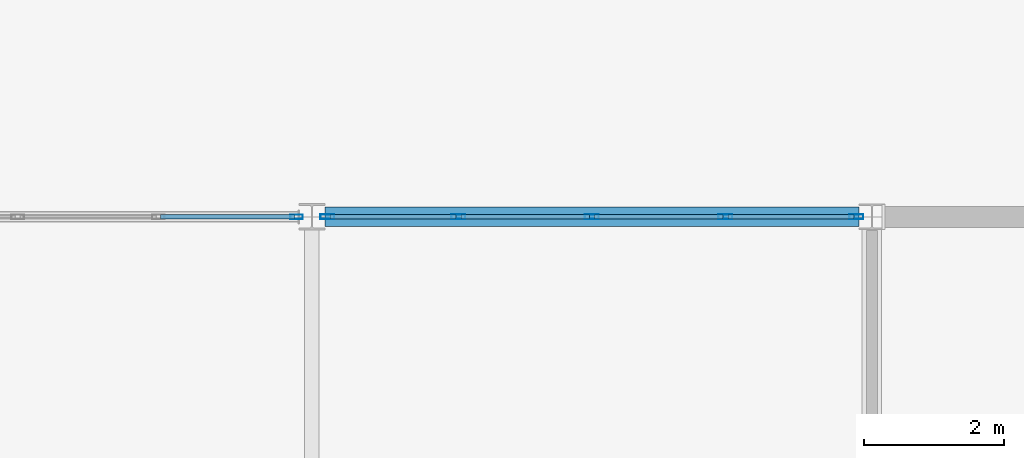
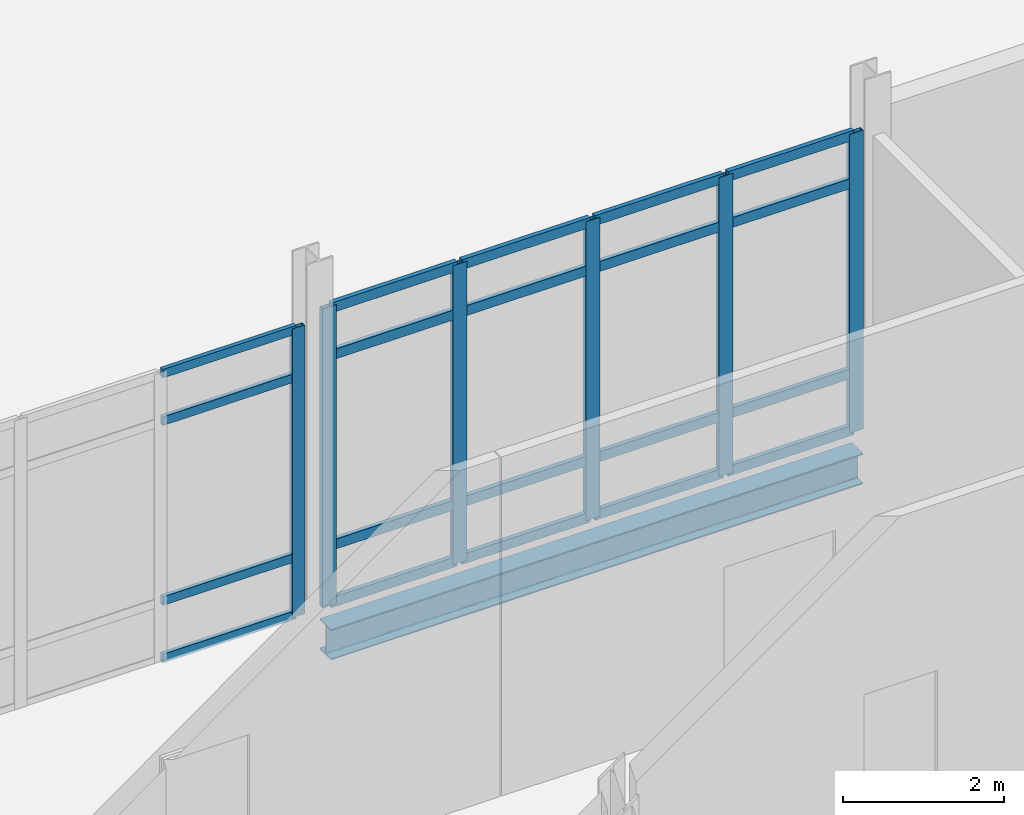
# One storey, part 101 of 229: 26 members, 1 beam, 2 elements without a shape of their own.
"""IFC4 building model written with IfcOpenShell, lengths in metres."""

from ifc_helpers import new_model, si_unit, direction, frame, origin, origin_2d, place, context, subcontext, project, spatial, hollow_rectangle, i_section, extrude, material, layer, layer_set, material_profile, profile_set, type_object, element, aggregate, save


model = new_model("IFC4")

# Units and contexts
model_context = context("Model", 3, precision=1e-05, world=origin(), true_north=direction((0.0, 1.0)))
body_context = subcontext(model_context, "Body", "Model", "MODEL_VIEW")
ifc_project = project(units=[si_unit("LENGTHUNIT", "METRE"), si_unit("AREAUNIT", "SQUARE_METRE"), si_unit("VOLUMEUNIT", "CUBIC_METRE"), si_unit("PLANEANGLEUNIT", "RADIAN"), si_unit("MASSUNIT", "GRAM", prefix="KILO")], contexts=[model_context])

# Site, building, storey
site_placement = place(None, origin())
site = spatial("IfcSite", under=ifc_project, at=site_placement, CompositionType="ELEMENT")
building_placement = place(site_placement, origin())
building = spatial("IfcBuilding", under=site, at=building_placement, Name="Calvrana Isthmian Art Gallery", CompositionType="ELEMENT")
storey_placement = place(building_placement, origin())
storey = spatial("IfcBuildingStorey", under=building, at=storey_placement, Name="L00", CompositionType="ELEMENT", Elevation=0.0)

# Beam
ifc_material_1 = material(Name="Steel ASTM A992 Gr 50", Category="steel")
ifc_material_profile_1 = material_profile(ifc_material_1, i_section(OverallWidth=0.279052734375, OverallDepth=0.4619140625, WebThickness=0.0107421875, FlangeThickness=0.017333984375, FilletRadius=0.02001953125, at=origin_2d()), Name="W18X76")
ifc_profile_set_1 = profile_set([ifc_material_profile_1], Name="Steel ASTM A992 Gr 50")
beam_type = type_object("IfcBeamType", Name="BM-G-W18X76", PredefinedType="BEAM", material=ifc_profile_set_1)
beam_placement = place(storey_placement, frame((80.58642578125, 62.0, -0.51611328125), z_axis=(1.0, 0.0, 0.0), x_axis=(0.0, 1.0, 0.0)))
element("IfcBeam", 1, at=beam_placement, inside=storey, type_object=beam_type, Name="Girder X L00 11-12/I", PredefinedType="BEAM", context=body_context, shape_type="SweptSolid", body=[
    extrude(i_section(OverallWidth=0.279052734375, OverallDepth=0.4619140625, WebThickness=0.0107421875, FlangeThickness=0.017333984375, FilletRadius=0.02001953125, at=origin_2d()), origin(), (0.0, 0.0, 1.0), 7.628173828125),
])

# Curtain wall, member
ifc_material_2 = material(Name="Anodized bronze aluminium 6063-T6", Category="aluminium")
ifc_layer_1 = layer(ifc_material_2, 0.179931640625, Name="Anodized bronze aluminium 6063-T6")
ifc_layer_set_1 = layer_set([ifc_layer_1], Name="Anodized bronze aluminium 6063-T6")
curtain_wall_type_1 = type_object("IfcCurtainWallType", Name="CW-UNIT-080X44", PredefinedType="USERDEFINED", material=ifc_layer_set_1)
curtain_wall_1_placement = place(storey_placement, origin())
curtain_wall_1 = element("IfcCurtainWall", 2, at=curtain_wall_1_placement, inside=storey, type_object=curtain_wall_type_1, Name="Curtain wall CW-026", ObjectType="UNITISED CURTAIN WALL", PredefinedType="USERDEFINED")
ifc_material_profile_2 = material_profile(ifc_material_2, hollow_rectangle(XDim=0.06494140625, YDim=0.179931640625, WallThickness=0.00439453125, at=origin_2d()), Name="CWM65X180")
ifc_profile_set_2 = profile_set([ifc_material_profile_2], Name="Anodized bronze aluminium 6063-T6")
member_type_1 = type_object("IfcMemberType", Name="CWM-CWM65X180", PredefinedType="MULLION", material=ifc_profile_set_2)
member_1_placement = place(storey_placement, frame((80.180908203125, 62.0, 0.0), z_axis=(0.0, 0.0, 1.0), x_axis=(0.0, 1.0, 0.0)))
member_1 = element("IfcMember", 3, at=member_1_placement, type_object=member_type_1, Name="CW-026 mullion 5", PredefinedType="MULLION", context=body_context, shape_type="SweptSolid", body=[
    extrude(hollow_rectangle(XDim=0.06494140625, YDim=0.179931640625, WallThickness=0.00439453125, at=origin_2d()), origin(), (0.0, 0.0, 1.0), 4.3779296875),
])

# Curtain wall, members
ifc_layer_2 = layer(ifc_material_2, 0.179931640625, Name="Anodized bronze aluminium 6063-T6")
ifc_layer_set_2 = layer_set([ifc_layer_2], Name="Anodized bronze aluminium 6063-T6")
curtain_wall_type_2 = type_object("IfcCurtainWallType", Name="CW-STICK-076X45", PredefinedType="NOTDEFINED", material=ifc_layer_set_2)
curtain_wall_2_placement = place(storey_placement, origin())
curtain_wall_2 = element("IfcCurtainWall", 4, at=curtain_wall_2_placement, inside=storey, type_object=curtain_wall_type_2, Name="Curtain wall CW-027", PredefinedType="NOTDEFINED")
ifc_material_profile_3 = material_profile(ifc_material_2, hollow_rectangle(XDim=0.070068359375, YDim=0.199951171875, WallThickness=0.0048828125, at=origin_2d()), Name="CWM70X200")
ifc_profile_set_3 = profile_set([ifc_material_profile_3], Name="Anodized bronze aluminium 6063-T6")
member_type_2 = type_object("IfcMemberType", Name="CWM-CWM70X200", PredefinedType="MULLION", material=ifc_profile_set_3)
member_2_placement = place(storey_placement, frame((80.62158203125, 62.0, 0.0), z_axis=(0.0, 0.0, 1.0), x_axis=(0.0, 1.0, 0.0)))
member_2 = element("IfcMember", 5, at=member_2_placement, type_object=member_type_2, Name="CW-027 mullion 1", PredefinedType="MULLION", context=body_context, shape_type="SweptSolid", body=[
    extrude(hollow_rectangle(XDim=0.070068359375, YDim=0.199951171875, WallThickness=0.0048828125, at=origin_2d()), origin(), (0.0, 0.0, 1.0), 4.532958984375),
])
member_3_placement = place(storey_placement, frame((82.4931640625, 62.0, 0.0), z_axis=(0.0, 0.0, 1.0), x_axis=(0.0, 1.0, 0.0)))
member_3 = element("IfcMember", 6, at=member_3_placement, type_object=member_type_2, Name="CW-027 mullion 2", PredefinedType="MULLION", context=body_context, shape_type="SweptSolid", body=[
    extrude(hollow_rectangle(XDim=0.070068359375, YDim=0.199951171875, WallThickness=0.0048828125, at=origin_2d()), origin(), (0.0, 0.0, 1.0), 4.532958984375),
])
member_4_placement = place(storey_placement, frame((84.39990234375, 62.0, 0.0), z_axis=(0.0, 0.0, 1.0), x_axis=(0.0, 1.0, 0.0)))
member_4 = element("IfcMember", 7, at=member_4_placement, type_object=member_type_2, Name="CW-027 mullion 3", PredefinedType="MULLION", context=body_context, shape_type="SweptSolid", body=[
    extrude(hollow_rectangle(XDim=0.070068359375, YDim=0.199951171875, WallThickness=0.0048828125, at=origin_2d()), origin(), (0.0, 0.0, 1.0), 4.532958984375),
])
member_5_placement = place(storey_placement, frame((86.306640625, 62.0, 0.0), z_axis=(0.0, 0.0, 1.0), x_axis=(0.0, 1.0, 0.0)))
member_5 = element("IfcMember", 8, at=member_5_placement, type_object=member_type_2, Name="CW-027 mullion 4", PredefinedType="MULLION", context=body_context, shape_type="SweptSolid", body=[
    extrude(hollow_rectangle(XDim=0.070068359375, YDim=0.199951171875, WallThickness=0.0048828125, at=origin_2d()), origin(), (0.0, 0.0, 1.0), 4.532958984375),
])
member_6_placement = place(storey_placement, frame((88.178466796875, 62.0, 0.0), z_axis=(0.0, 0.0, 1.0), x_axis=(0.0, 1.0, 0.0)))
member_6 = element("IfcMember", 9, at=member_6_placement, type_object=member_type_2, Name="CW-027 mullion 5", PredefinedType="MULLION", context=body_context, shape_type="SweptSolid", body=[
    extrude(hollow_rectangle(XDim=0.070068359375, YDim=0.199951171875, WallThickness=0.0048828125, at=origin_2d()), origin(), (0.0, 0.0, 1.0), 4.532958984375),
])

# Member
ifc_material_profile_4 = material_profile(ifc_material_2, hollow_rectangle(XDim=0.06005859375, YDim=0.1298828125, WallThickness=0.00390625, at=origin_2d()), Name="CWT60X130")
ifc_profile_set_4 = profile_set([ifc_material_profile_4], Name="Anodized bronze aluminium 6063-T6")
member_type_3 = type_object("IfcMemberType", Name="CWT-CWT60X130", PredefinedType="USERDEFINED", material=ifc_profile_set_4)
member_7_placement = place(storey_placement, frame((78.238525390625, 62.0, 0.030029296875), z_axis=(1.0, 0.0, 0.0), x_axis=(0.0, 1.0, 0.0)))
member_7 = element("IfcMember", 10, at=member_7_placement, type_object=member_type_3, Name="CW-026 transom 4.1", ObjectType="TRANSOM", PredefinedType="USERDEFINED", context=body_context, shape_type="SweptSolid", body=[
    extrude(hollow_rectangle(XDim=0.06005859375, YDim=0.1298828125, WallThickness=0.00390625, at=origin_2d()), origin(), (0.0, 0.0, 1.0), 1.909912109375),
])

member_8_placement = place(storey_placement, frame((78.238525390625, 62.0, 0.89990234375), z_axis=(1.0, 0.0, 0.0), x_axis=(0.0, 1.0, 0.0)))
member_8 = element("IfcMember", 11, at=member_8_placement, type_object=member_type_3, Name="CW-026 transom 4.2", ObjectType="TRANSOM", PredefinedType="USERDEFINED", context=body_context, shape_type="SweptSolid", body=[
    extrude(hollow_rectangle(XDim=0.06005859375, YDim=0.1298828125, WallThickness=0.00390625, at=origin_2d()), origin(), (0.0, 0.0, 1.0), 1.909912109375),
])

member_9_placement = place(storey_placement, frame((78.238525390625, 62.0, 3.6279296875), z_axis=(1.0, 0.0, 0.0), x_axis=(0.0, 1.0, 0.0)))
member_9 = element("IfcMember", 12, at=member_9_placement, type_object=member_type_3, Name="CW-026 transom 4.3", ObjectType="TRANSOM", PredefinedType="USERDEFINED", context=body_context, shape_type="SweptSolid", body=[
    extrude(hollow_rectangle(XDim=0.06005859375, YDim=0.1298828125, WallThickness=0.00390625, at=origin_2d()), origin(), (0.0, 0.0, 1.0), 1.909912109375),
])

member_10_placement = place(storey_placement, frame((78.238525390625, 62.0, 4.347900390625), z_axis=(1.0, 0.0, 0.0), x_axis=(0.0, 1.0, 0.0)))
member_10 = element("IfcMember", 13, at=member_10_placement, type_object=member_type_3, Name="CW-026 transom 4.4", ObjectType="TRANSOM", PredefinedType="USERDEFINED", context=body_context, shape_type="SweptSolid", body=[
    extrude(hollow_rectangle(XDim=0.06005859375, YDim=0.1298828125, WallThickness=0.00390625, at=origin_2d()), origin(), (0.0, 0.0, 1.0), 1.909912109375),
])

aggregate(curtain_wall_1, [member_1, member_7, member_8, member_9, member_10])

ifc_material_profile_5 = material_profile(ifc_material_2, hollow_rectangle(XDim=0.06494140625, YDim=0.14990234375, WallThickness=0.00390625, at=origin_2d()), Name="CWT65X150")
ifc_profile_set_5 = profile_set([ifc_material_profile_5], Name="Anodized bronze aluminium 6063-T6")
member_type_4 = type_object("IfcMemberType", Name="CWT-CWT65X150", PredefinedType="USERDEFINED", material=ifc_profile_set_5)
member_11_placement = place(storey_placement, frame((80.656494140625, 62.0, 0.032470703125), z_axis=(1.0, 0.0, 0.0), x_axis=(0.0, 1.0, 0.0)))
member_11 = element("IfcMember", 14, at=member_11_placement, type_object=member_type_4, Name="CW-027 transom 1.1", ObjectType="TRANSOM", PredefinedType="USERDEFINED", context=body_context, shape_type="SweptSolid", body=[
    extrude(hollow_rectangle(XDim=0.06494140625, YDim=0.14990234375, WallThickness=0.00390625, at=origin_2d()), origin(), (0.0, 0.0, 1.0), 1.8017578125),
])

member_12_placement = place(storey_placement, frame((80.656494140625, 62.0, 0.89990234375), z_axis=(1.0, 0.0, 0.0), x_axis=(0.0, 1.0, 0.0)))
member_12 = element("IfcMember", 15, at=member_12_placement, type_object=member_type_4, Name="CW-027 transom 1.2", ObjectType="TRANSOM", PredefinedType="USERDEFINED", context=body_context, shape_type="SweptSolid", body=[
    extrude(hollow_rectangle(XDim=0.06494140625, YDim=0.14990234375, WallThickness=0.00390625, at=origin_2d()), origin(), (0.0, 0.0, 1.0), 1.8017578125),
])

member_13_placement = place(storey_placement, frame((80.656494140625, 62.0, 3.782958984375), z_axis=(1.0, 0.0, 0.0), x_axis=(0.0, 1.0, 0.0)))
member_13 = element("IfcMember", 16, at=member_13_placement, type_object=member_type_4, Name="CW-027 transom 1.3", ObjectType="TRANSOM", PredefinedType="USERDEFINED", context=body_context, shape_type="SweptSolid", body=[
    extrude(hollow_rectangle(XDim=0.06494140625, YDim=0.14990234375, WallThickness=0.00390625, at=origin_2d()), origin(), (0.0, 0.0, 1.0), 1.8017578125),
])

member_14_placement = place(storey_placement, frame((80.656494140625, 62.0, 4.50048828125), z_axis=(1.0, 0.0, 0.0), x_axis=(0.0, 1.0, 0.0)))
member_14 = element("IfcMember", 17, at=member_14_placement, type_object=member_type_4, Name="CW-027 transom 1.4", ObjectType="TRANSOM", PredefinedType="USERDEFINED", context=body_context, shape_type="SweptSolid", body=[
    extrude(hollow_rectangle(XDim=0.06494140625, YDim=0.14990234375, WallThickness=0.00390625, at=origin_2d()), origin(), (0.0, 0.0, 1.0), 1.8017578125),
])

member_15_placement = place(storey_placement, frame((82.5283203125, 62.0, 0.032470703125), z_axis=(1.0, 0.0, 0.0), x_axis=(0.0, 1.0, 0.0)))
member_15 = element("IfcMember", 18, at=member_15_placement, type_object=member_type_4, Name="CW-027 transom 2.1", ObjectType="TRANSOM", PredefinedType="USERDEFINED", context=body_context, shape_type="SweptSolid", body=[
    extrude(hollow_rectangle(XDim=0.06494140625, YDim=0.14990234375, WallThickness=0.00390625, at=origin_2d()), origin(), (0.0, 0.0, 1.0), 1.836669921875),
])

member_16_placement = place(storey_placement, frame((82.5283203125, 62.0, 0.89990234375), z_axis=(1.0, 0.0, 0.0), x_axis=(0.0, 1.0, 0.0)))
member_16 = element("IfcMember", 19, at=member_16_placement, type_object=member_type_4, Name="CW-027 transom 2.2", ObjectType="TRANSOM", PredefinedType="USERDEFINED", context=body_context, shape_type="SweptSolid", body=[
    extrude(hollow_rectangle(XDim=0.06494140625, YDim=0.14990234375, WallThickness=0.00390625, at=origin_2d()), origin(), (0.0, 0.0, 1.0), 1.836669921875),
])

member_17_placement = place(storey_placement, frame((82.5283203125, 62.0, 3.782958984375), z_axis=(1.0, 0.0, 0.0), x_axis=(0.0, 1.0, 0.0)))
member_17 = element("IfcMember", 20, at=member_17_placement, type_object=member_type_4, Name="CW-027 transom 2.3", ObjectType="TRANSOM", PredefinedType="USERDEFINED", context=body_context, shape_type="SweptSolid", body=[
    extrude(hollow_rectangle(XDim=0.06494140625, YDim=0.14990234375, WallThickness=0.00390625, at=origin_2d()), origin(), (0.0, 0.0, 1.0), 1.836669921875),
])

member_18_placement = place(storey_placement, frame((82.5283203125, 62.0, 4.50048828125), z_axis=(1.0, 0.0, 0.0), x_axis=(0.0, 1.0, 0.0)))
member_18 = element("IfcMember", 21, at=member_18_placement, type_object=member_type_4, Name="CW-027 transom 2.4", ObjectType="TRANSOM", PredefinedType="USERDEFINED", context=body_context, shape_type="SweptSolid", body=[
    extrude(hollow_rectangle(XDim=0.06494140625, YDim=0.14990234375, WallThickness=0.00390625, at=origin_2d()), origin(), (0.0, 0.0, 1.0), 1.836669921875),
])

member_19_placement = place(storey_placement, frame((84.43505859375, 62.0, 0.032470703125), z_axis=(1.0, 0.0, 0.0), x_axis=(0.0, 1.0, 0.0)))
member_19 = element("IfcMember", 22, at=member_19_placement, type_object=member_type_4, Name="CW-027 transom 3.1", ObjectType="TRANSOM", PredefinedType="USERDEFINED", context=body_context, shape_type="SweptSolid", body=[
    extrude(hollow_rectangle(XDim=0.06494140625, YDim=0.14990234375, WallThickness=0.00390625, at=origin_2d()), origin(), (0.0, 0.0, 1.0), 1.836669921875),
])

member_20_placement = place(storey_placement, frame((84.43505859375, 62.0, 0.89990234375), z_axis=(1.0, 0.0, 0.0), x_axis=(0.0, 1.0, 0.0)))
member_20 = element("IfcMember", 23, at=member_20_placement, type_object=member_type_4, Name="CW-027 transom 3.2", ObjectType="TRANSOM", PredefinedType="USERDEFINED", context=body_context, shape_type="SweptSolid", body=[
    extrude(hollow_rectangle(XDim=0.06494140625, YDim=0.14990234375, WallThickness=0.00390625, at=origin_2d()), origin(), (0.0, 0.0, 1.0), 1.836669921875),
])

member_21_placement = place(storey_placement, frame((84.43505859375, 62.0, 3.782958984375), z_axis=(1.0, 0.0, 0.0), x_axis=(0.0, 1.0, 0.0)))
member_21 = element("IfcMember", 24, at=member_21_placement, type_object=member_type_4, Name="CW-027 transom 3.3", ObjectType="TRANSOM", PredefinedType="USERDEFINED", context=body_context, shape_type="SweptSolid", body=[
    extrude(hollow_rectangle(XDim=0.06494140625, YDim=0.14990234375, WallThickness=0.00390625, at=origin_2d()), origin(), (0.0, 0.0, 1.0), 1.836669921875),
])

member_22_placement = place(storey_placement, frame((84.43505859375, 62.0, 4.50048828125), z_axis=(1.0, 0.0, 0.0), x_axis=(0.0, 1.0, 0.0)))
member_22 = element("IfcMember", 25, at=member_22_placement, type_object=member_type_4, Name="CW-027 transom 3.4", ObjectType="TRANSOM", PredefinedType="USERDEFINED", context=body_context, shape_type="SweptSolid", body=[
    extrude(hollow_rectangle(XDim=0.06494140625, YDim=0.14990234375, WallThickness=0.00390625, at=origin_2d()), origin(), (0.0, 0.0, 1.0), 1.836669921875),
])

member_23_placement = place(storey_placement, frame((86.341796875, 62.0, 0.032470703125), z_axis=(1.0, 0.0, 0.0), x_axis=(0.0, 1.0, 0.0)))
member_23 = element("IfcMember", 26, at=member_23_placement, type_object=member_type_4, Name="CW-027 transom 4.1", ObjectType="TRANSOM", PredefinedType="USERDEFINED", context=body_context, shape_type="SweptSolid", body=[
    extrude(hollow_rectangle(XDim=0.06494140625, YDim=0.14990234375, WallThickness=0.00390625, at=origin_2d()), origin(), (0.0, 0.0, 1.0), 1.8017578125),
])

member_24_placement = place(storey_placement, frame((86.341796875, 62.0, 0.89990234375), z_axis=(1.0, 0.0, 0.0), x_axis=(0.0, 1.0, 0.0)))
member_24 = element("IfcMember", 27, at=member_24_placement, type_object=member_type_4, Name="CW-027 transom 4.2", ObjectType="TRANSOM", PredefinedType="USERDEFINED", context=body_context, shape_type="SweptSolid", body=[
    extrude(hollow_rectangle(XDim=0.06494140625, YDim=0.14990234375, WallThickness=0.00390625, at=origin_2d()), origin(), (0.0, 0.0, 1.0), 1.8017578125),
])

member_25_placement = place(storey_placement, frame((86.341796875, 62.0, 3.782958984375), z_axis=(1.0, 0.0, 0.0), x_axis=(0.0, 1.0, 0.0)))
member_25 = element("IfcMember", 28, at=member_25_placement, type_object=member_type_4, Name="CW-027 transom 4.3", ObjectType="TRANSOM", PredefinedType="USERDEFINED", context=body_context, shape_type="SweptSolid", body=[
    extrude(hollow_rectangle(XDim=0.06494140625, YDim=0.14990234375, WallThickness=0.00390625, at=origin_2d()), origin(), (0.0, 0.0, 1.0), 1.8017578125),
])

member_26_placement = place(storey_placement, frame((86.341796875, 62.0, 4.50048828125), z_axis=(1.0, 0.0, 0.0), x_axis=(0.0, 1.0, 0.0)))
member_26 = element("IfcMember", 29, at=member_26_placement, type_object=member_type_4, Name="CW-027 transom 4.4", ObjectType="TRANSOM", PredefinedType="USERDEFINED", context=body_context, shape_type="SweptSolid", body=[
    extrude(hollow_rectangle(XDim=0.06494140625, YDim=0.14990234375, WallThickness=0.00390625, at=origin_2d()), origin(), (0.0, 0.0, 1.0), 1.8017578125),
])

aggregate(curtain_wall_2, [member_2, member_3, member_4, member_5, member_6, member_11, member_12, member_13, member_14, member_15, member_16, member_17, member_18, member_19, member_20, member_21, member_22, member_23, member_24, member_25, member_26])

save(model, "model.ifc")
